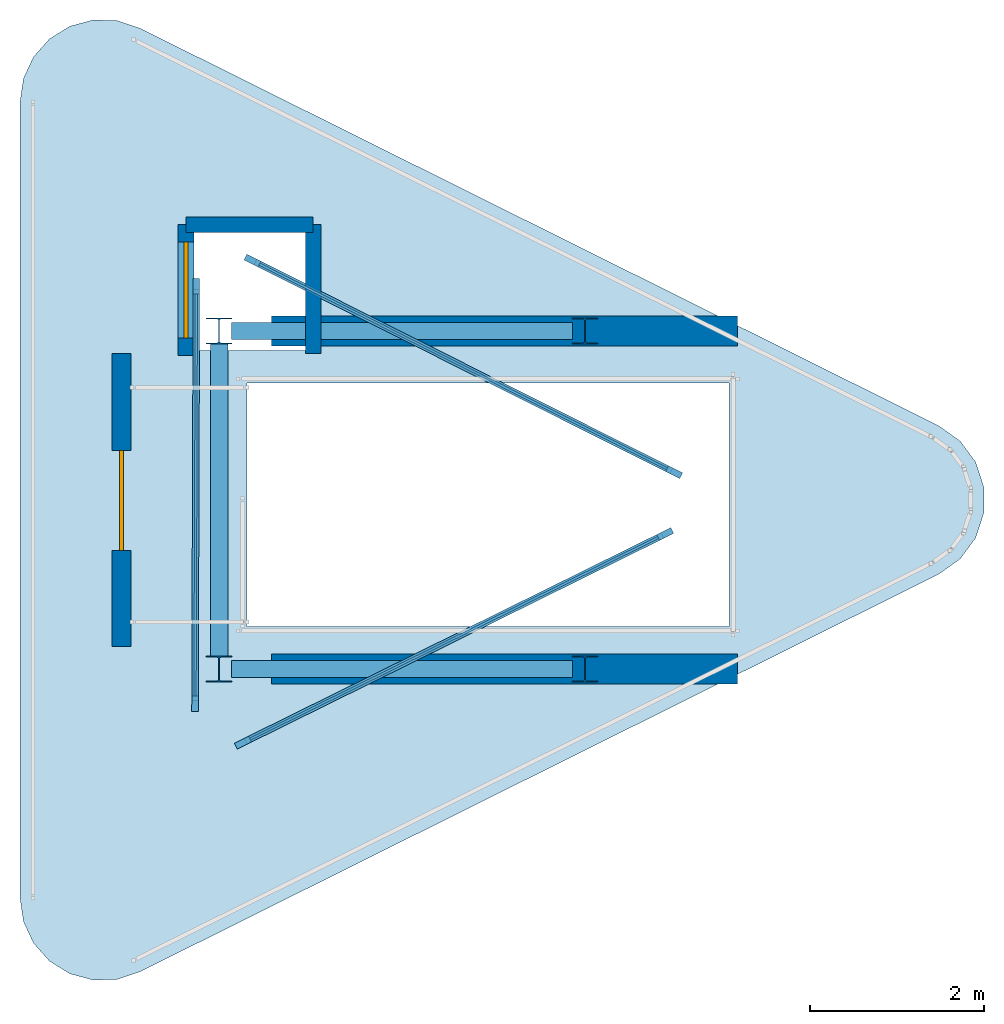
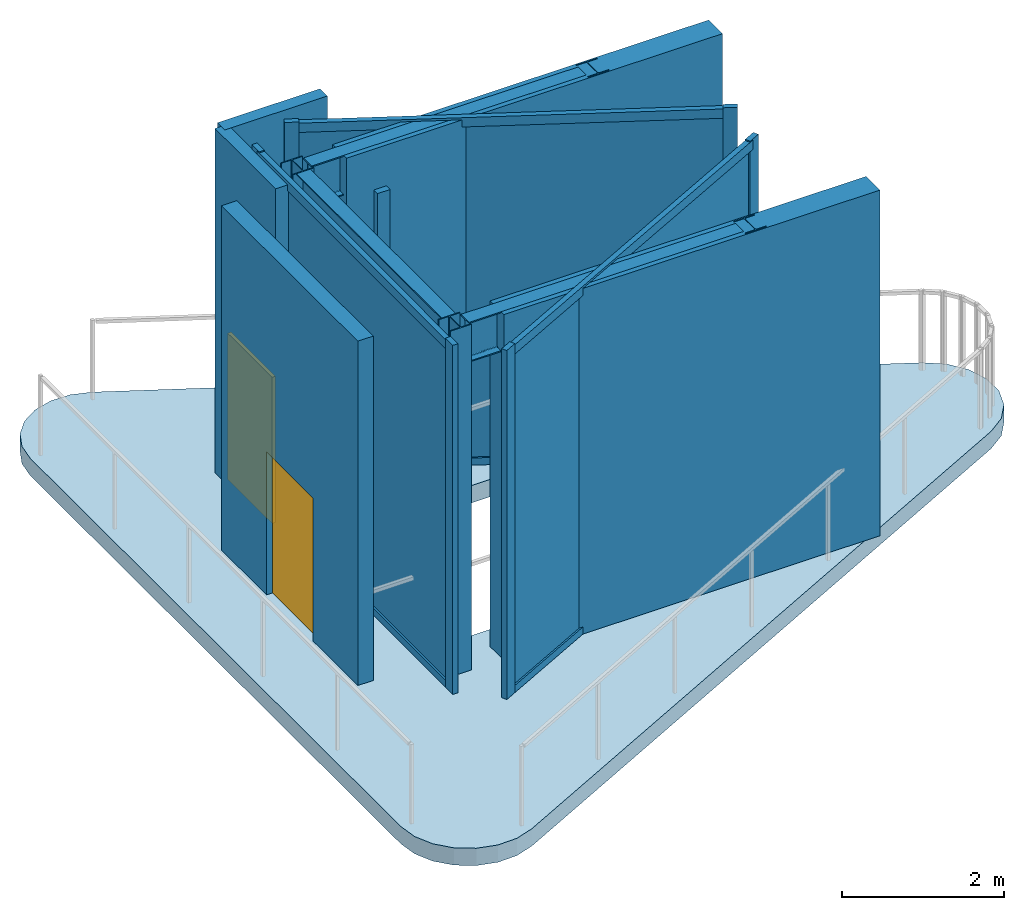
# One storey, part 1 of 2: 12 members, 6 walls, 4 columns, 3 beams, 3 plates, 2 doors, 1 slab, 2 openings, 3 elements without a shape of their own.
"""IFC4 building model written with IfcOpenShell, lengths in metres."""

from ifc_helpers import new_model, si_unit, direction, frame, frame_2d, origin, origin_2d, place, context, subcontext, project, spatial, polyline, rectangle, i_section, outline, extrude, source, transform, mapped, material, layer, layer_set, material_profile, profile_set, type_object, element, fill, aggregate, save


model = new_model("IFC4")

# Units and contexts
model_context = context("Model", 3, precision=1e-05, world=origin(), true_north=direction((0.0, 1.0)))
body_context = subcontext(model_context, "Body", "Model", "MODEL_VIEW")
ifc_project = project(units=[si_unit("LENGTHUNIT", "METRE"), si_unit("AREAUNIT", "SQUARE_METRE"), si_unit("VOLUMEUNIT", "CUBIC_METRE"), si_unit("PLANEANGLEUNIT", "RADIAN"), si_unit("MASSUNIT", "GRAM", prefix="KILO")], contexts=[model_context])

# Site, building, storey
site_placement = place(None, origin())
site = spatial("IfcSite", under=ifc_project, at=site_placement, CompositionType="ELEMENT")
building_placement = place(site_placement, origin())
building = spatial("IfcBuilding", under=site, at=building_placement, Name="Yunling Apex Tower", CompositionType="ELEMENT")
storey_placement = place(building_placement, frame((0.0, 0.0, 343.85009765625)))
storey = spatial("IfcBuildingStorey", under=building, at=storey_placement, Name="C06", CompositionType="ELEMENT", Elevation=343.85009765625)

# Columns
ifc_material_1 = material(Name="Steel Q355B", Category="steel")
ifc_material_profile_1 = material_profile(ifc_material_1, i_section(OverallWidth=0.300048828125, OverallDepth=0.300048828125, WebThickness=0.010009765625, FlangeThickness=0.014892578125, FilletRadius=0.01806640625, at=origin_2d()))
ifc_profile_set_1 = profile_set([ifc_material_profile_1], Name="Steel Q355B")
column_type = type_object("IfcColumnType", Name="CC-STL-3", PredefinedType="COLUMN", material=ifc_profile_set_1)
shared_shape_1 = source(origin(), body_context, "Body", "SweptSolid", [
    extrude(i_section(OverallWidth=0.300048828125, OverallDepth=0.300048828125, WebThickness=0.010009765625, FlangeThickness=0.014892578125, FilletRadius=0.01806640625, at=origin_2d()), origin(), (0.0, 0.0, 1.0), 5.199951171875),
])
for number, where, z_axis, x_axis, name in (
    (1, (-1.800048828125, -1.93994140625, 0.0), (0.0, 0.0, 1.0), (1.0, 0.0, 0.0), "C06 Crown Core Column CT1"),
    (2, (2.39990234375, 1.93994140625, 0.0), (0.0, 0.0, 1.0), (1.0, 0.0, 0.0), "C06 Crown Core Column CT2"),
    (3, (2.39990234375, -1.93994140625, 0.0), (0.0, 0.0, 1.0), (1.0, 0.0, 0.0), "C06 Crown Core Column CT3"),
    (4, (-1.800048828125, 1.93994140625, 0.0), (0.0, 0.0, 1.0), (1.0, 0.0, 0.0), "C06 Crown Core Column CT4"),
):
    element("IfcColumn", number, at=place(storey_placement, frame(where, z_axis=z_axis, x_axis=x_axis)), inside=storey, type_object=column_type, Name=name, PredefinedType="COLUMN", context=body_context, shape_type="MappedRepresentation", body=[
        mapped(shared_shape_1, transform((0.0, 0.0, 0.0), scale=1.0)),
    ])

# Beams
ifc_material_profile_2 = material_profile(ifc_material_1, i_section(OverallWidth=0.199951171875, OverallDepth=0.60009765625, WebThickness=0.010986328125, FlangeThickness=0.01708984375, FilletRadius=0.02197265625, at=origin_2d()))
ifc_profile_set_2 = profile_set([ifc_material_profile_2], Name="Steel Q355B")
beam_type = type_object("IfcBeamType", Name="BG-PRI-5", PredefinedType="USERDEFINED", material=ifc_profile_set_2)
shared_shape_2 = source(origin(), body_context, "Body", "SweptSolid", [
    extrude(i_section(OverallWidth=0.199951171875, OverallDepth=0.60009765625, WebThickness=0.010986328125, FlangeThickness=0.01708984375, FilletRadius=0.02197265625, at=origin_2d()), origin(), (0.0, 0.0, 1.0), 3.909912109375),
])
for number, where, z_axis, x_axis, name in (
    (5, (-1.655029296875, 1.93994140625, 4.89990234375), (1.0, 0.0, 0.0), (0.0, 1.0, 0.0), "C06 Crown Core Support Girder 1"),
    (6, (-1.655029296875, -1.93994140625, 4.89990234375), (1.0, 0.0, 0.0), (0.0, 1.0, 0.0), "C06 Crown Core Support Girder 2"),
):
    element("IfcBeam", number, at=place(storey_placement, frame(where, z_axis=z_axis, x_axis=x_axis)), inside=storey, type_object=beam_type, Name=name, ObjectType="GIRDER", PredefinedType="USERDEFINED", context=body_context, shape_type="MappedRepresentation", body=[
        mapped(shared_shape_2, transform((0.0, 0.0, 0.0), scale=1.0)),
    ])
shared_shape_3 = source(origin(), body_context, "Body", "SweptSolid", [
    extrude(i_section(OverallWidth=0.199951171875, OverallDepth=0.60009765625, WebThickness=0.010986328125, FlangeThickness=0.01708984375, FilletRadius=0.02197265625, at=origin_2d()), origin(), (0.0, 0.0, 1.0), 3.58984375),
])
beam_placement = place(storey_placement, frame((-1.800048828125, -1.794921875, 4.89990234375), z_axis=(0.0, 1.0, 0.0), x_axis=(-1.0, 0.0, 0.0)))
element("IfcBeam", 7, at=beam_placement, inside=storey, type_object=beam_type, Name="C06 Crown Core Support Girder 3", ObjectType="GIRDER", PredefinedType="USERDEFINED", context=body_context, shape_type="MappedRepresentation", body=[
    mapped(shared_shape_3, transform((0.0, 0.0, 0.0), scale=1.0)),
])

# Curtain wall, members
ifc_material_2 = material(Name="Bronze anodised aluminium", Category="aluminium")
ifc_layer_1 = layer(ifc_material_2, 0.179931640625)
ifc_layer_set_1 = layer_set([ifc_layer_1], Name="Bronze anodised aluminium")
curtain_wall_type = type_object("IfcCurtainWallType", Name="CW-SYS-6", PredefinedType="NOTDEFINED", material=ifc_layer_set_1)
curtain_wall_1_placement = place(storey_placement, origin())
curtain_wall_1 = element("IfcCurtainWall", 8, at=curtain_wall_1_placement, inside=storey, type_object=curtain_wall_type, Name="CW-C06-01", PredefinedType="NOTDEFINED")
ifc_material_profile_3 = material_profile(ifc_material_2, rectangle(XDim=0.074951171875, YDim=0.179931640625, at=origin_2d()))
ifc_profile_set_3 = profile_set([ifc_material_profile_3], Name="Bronze anodised aluminium")
member_type_1 = type_object("IfcMemberType", Name="CW-MUL-6", PredefinedType="MULLION", material=ifc_profile_set_3)
shared_shape_4 = source(origin(), body_context, "Body", "SweptSolid", [
    extrude(rectangle(XDim=0.074951171875, YDim=0.179931640625, at=origin_2d()), origin(), (0.0, 0.0, 1.0), 5.300048828125),
])
member_1_placement = place(storey_placement, frame((-2.076416015625, -2.33984375, -0.050048828125), z_axis=(0.0, 0.0, 1.0), x_axis=(-0.99999466789, 0.003265607258, 0.0)))
member_1 = element("IfcMember", 9, at=member_1_placement, type_object=member_type_1, Name="CW-SYS-6 mullion 1", PredefinedType="MULLION", context=body_context, shape_type="MappedRepresentation", body=[
    mapped(shared_shape_4, transform((0.0, 0.0, 0.0), scale=1.0)),
])
member_2_placement = place(storey_placement, frame((-2.060791015625, 2.4541015625, -0.050048828125), z_axis=(0.0, 0.0, 1.0), x_axis=(-0.99999466789, 0.003265607258, 0.0)))
member_2 = element("IfcMember", 10, at=member_2_placement, type_object=member_type_1, Name="CW-SYS-6 mullion 2", PredefinedType="MULLION", context=body_context, shape_type="MappedRepresentation", body=[
    mapped(shared_shape_4, transform((0.0, 0.0, 0.0), scale=1.0)),
])

curtain_wall_2_placement = place(storey_placement, origin())
curtain_wall_2 = element("IfcCurtainWall", 11, at=curtain_wall_2_placement, inside=storey, type_object=curtain_wall_type, Name="CW-C06-05", PredefinedType="NOTDEFINED")
member_3_placement = place(storey_placement, frame((-1.417236328125, 2.748046875, -0.050048828125), z_axis=(0.0, 0.0, 1.0), x_axis=(0.448684504985, 0.893690223168, 0.0)))
member_3 = element("IfcMember", 12, at=member_3_placement, type_object=member_type_1, Name="CW-SYS-6 mullion 1", PredefinedType="MULLION", context=body_context, shape_type="MappedRepresentation", body=[
    mapped(shared_shape_4, transform((0.0, 0.0, 0.0), scale=1.0)),
])
member_4_placement = place(storey_placement, frame((3.423095703125, 0.318115234375, -0.050048828125), z_axis=(0.0, 0.0, 1.0), x_axis=(0.448684504985, 0.893690223168, 0.0)))
member_4 = element("IfcMember", 13, at=member_4_placement, type_object=member_type_1, Name="CW-SYS-6 mullion 2", PredefinedType="MULLION", context=body_context, shape_type="MappedRepresentation", body=[
    mapped(shared_shape_4, transform((0.0, 0.0, 0.0), scale=1.0)),
])

curtain_wall_3_placement = place(storey_placement, origin())
curtain_wall_3 = element("IfcCurtainWall", 14, at=curtain_wall_3_placement, inside=storey, type_object=curtain_wall_type, Name="CW-C06-09", PredefinedType="NOTDEFINED")
member_5_placement = place(storey_placement, frame((3.320068359375, -0.39013671875, -0.050048828125), z_axis=(0.0, 0.0, 1.0), x_axis=(0.442968450528, -0.896537200476, 0.0)))
member_5 = element("IfcMember", 15, at=member_5_placement, type_object=member_type_1, Name="CW-SYS-6 mullion 1", PredefinedType="MULLION", context=body_context, shape_type="MappedRepresentation", body=[
    mapped(shared_shape_4, transform((0.0, 0.0, 0.0), scale=1.0)),
])
member_6_placement = place(storey_placement, frame((-1.5263671875, -2.784912109375, -0.050048828125), z_axis=(0.0, 0.0, 1.0), x_axis=(0.442968450528, -0.896537200476, 0.0)))
member_6 = element("IfcMember", 16, at=member_6_placement, type_object=member_type_1, Name="CW-SYS-6 mullion 2", PredefinedType="MULLION", context=body_context, shape_type="MappedRepresentation", body=[
    mapped(shared_shape_4, transform((0.0, 0.0, 0.0), scale=1.0)),
])

# Member
ifc_material_profile_4 = material_profile(ifc_material_2, rectangle(XDim=0.074951171875, YDim=0.139892578125, at=origin_2d()))
ifc_profile_set_4 = profile_set([ifc_material_profile_4], Name="Bronze anodised aluminium")
member_type_2 = type_object("IfcMemberType", Name="CW-TRN-6", PredefinedType="USERDEFINED", material=ifc_profile_set_4)
shared_shape_5 = source(origin(), body_context, "Body", "SweptSolid", [
    extrude(rectangle(XDim=0.074951171875, YDim=0.139892578125, at=origin_2d()), origin(), (0.0, 0.0, 1.0), 4.726318359375),
])
member_7_placement = place(storey_placement, frame((-2.076416015625, -2.30615234375, 0.037353515625), z_axis=(0.003254283093, 0.999994704807, 0.0), x_axis=(-0.999994704807, 0.003254283093, 0.0)))
member_7 = element("IfcMember", 17, at=member_7_placement, type_object=member_type_2, Name="CW-SYS-6 transom 1.1", ObjectType="TRANSOM", PredefinedType="USERDEFINED", context=body_context, shape_type="MappedRepresentation", body=[
    mapped(shared_shape_5, transform((0.0, 0.0, 0.0), scale=1.0)),
])

member_8_placement = place(storey_placement, frame((-2.076416015625, -2.30615234375, 5.162353515625), z_axis=(0.003254283093, 0.999994704807, 0.0), x_axis=(-0.999994704807, 0.003254283093, 0.0)))
member_8 = element("IfcMember", 18, at=member_8_placement, type_object=member_type_2, Name="CW-SYS-6 transom 1.2", ObjectType="TRANSOM", PredefinedType="USERDEFINED", context=body_context, shape_type="MappedRepresentation", body=[
    mapped(shared_shape_5, transform((0.0, 0.0, 0.0), scale=1.0)),
])

shared_shape_6 = source(origin(), body_context, "Body", "SweptSolid", [
    extrude(rectangle(XDim=0.074951171875, YDim=0.139892578125, at=origin_2d()), origin(), (0.0, 0.0, 1.0), 5.348388671875),
])
member_9_placement = place(storey_placement, frame((-1.386962890625, 2.73291015625, 0.037353515625), z_axis=(0.893695630945, -0.448673733607, 0.0), x_axis=(0.448673733607, 0.893695630945, 0.0)))
member_9 = element("IfcMember", 19, at=member_9_placement, type_object=member_type_2, Name="CW-SYS-6 transom 1.1", ObjectType="TRANSOM", PredefinedType="USERDEFINED", context=body_context, shape_type="MappedRepresentation", body=[
    mapped(shared_shape_6, transform((0.0, 0.0, 0.0), scale=1.0)),
])

member_10_placement = place(storey_placement, frame((-1.386962890625, 2.73291015625, 5.162353515625), z_axis=(0.893695630945, -0.448673733607, 0.0), x_axis=(0.448673733607, 0.893695630945, 0.0)))
member_10 = element("IfcMember", 20, at=member_10_placement, type_object=member_type_2, Name="CW-SYS-6 transom 1.2", ObjectType="TRANSOM", PredefinedType="USERDEFINED", context=body_context, shape_type="MappedRepresentation", body=[
    mapped(shared_shape_6, transform((0.0, 0.0, 0.0), scale=1.0)),
])

shared_shape_7 = source(origin(), body_context, "Body", "SweptSolid", [
    extrude(rectangle(XDim=0.074951171875, YDim=0.139892578125, at=origin_2d()), origin(), (0.0, 0.0, 1.0), 5.338623046875),
])
member_11_placement = place(storey_placement, frame((3.2900390625, -0.4052734375, 0.037353515625), z_axis=(-0.896548081339, -0.44294642774, 0.0), x_axis=(0.44294642774, -0.896548081339, 0.0)))
member_11 = element("IfcMember", 21, at=member_11_placement, type_object=member_type_2, Name="CW-SYS-6 transom 1.1", ObjectType="TRANSOM", PredefinedType="USERDEFINED", context=body_context, shape_type="MappedRepresentation", body=[
    mapped(shared_shape_7, transform((0.0, 0.0, 0.0), scale=1.0)),
])

member_12_placement = place(storey_placement, frame((3.2900390625, -0.4052734375, 5.162353515625), z_axis=(-0.896548081339, -0.44294642774, 0.0), x_axis=(0.44294642774, -0.896548081339, 0.0)))
member_12 = element("IfcMember", 22, at=member_12_placement, type_object=member_type_2, Name="CW-SYS-6 transom 1.2", ObjectType="TRANSOM", PredefinedType="USERDEFINED", context=body_context, shape_type="MappedRepresentation", body=[
    mapped(shared_shape_7, transform((0.0, 0.0, 0.0), scale=1.0)),
])

# Slab
ifc_material_3 = material(Name="Concrete C40", Category="concrete")
ifc_layer_2 = layer(ifc_material_3, 0.260009765625)
ifc_layer_set_2 = layer_set([ifc_layer_2], Name="Concrete C40")
slab_type = type_object("IfcSlabType", Name="SL-CRN-1", PredefinedType="FLOOR", material=ifc_layer_set_2)
slab_placement = place(storey_placement, frame((0.0, 0.0, -0.260009765625)))
element("IfcSlab", 23, at=slab_placement, inside=storey, type_object=slab_type, Name="C06 Crown Plant & Maintenance Slab", PredefinedType="FLOOR", context=body_context, shape_type="SweptSolid", body=[
    extrude(outline(polyline([(-4.085205078125, -4.56591796875), (-4.045654296875, -4.837890625), (-3.9296875, -5.087158203125), (-3.7470703125, -5.292724609375), (-3.513427734375, -5.4375), (-3.248046875, -5.50927734375), (-2.973388671875, -5.502197265625), (-2.7119140625, -5.41650390625), (6.4619140625, -0.8505859375), (6.705810546875, -0.67626953125), (6.88330078125, -0.434814453125), (6.976806640625, -0.14990234375), (6.976806640625, 0.14990234375), (6.88330078125, 0.434814453125), (6.705810546875, 0.67626953125), (6.4619140625, 0.8505859375), (-2.7119140625, 5.41650390625), (-2.973388671875, 5.502197265625), (-3.248046875, 5.50927734375), (-3.513427734375, 5.4375), (-3.7470703125, 5.292724609375), (-3.9296875, 5.087158203125), (-4.045654296875, 4.837890625), (-4.085205078125, 4.56591796875), (-4.085205078125, -4.56591796875)]), holes=[polyline([(4.050048828125, -1.449951171875), (-1.47998046875, -1.449951171875), (-1.47998046875, 1.340087890625), (4.050048828125, 1.340087890625), (4.050048828125, -1.449951171875)]), polyline([(-0.7900390625, 1.715087890625), (-2.110107421875, 1.715087890625), (-2.110107421875, 3.0849609375), (-0.7900390625, 3.0849609375), (-0.7900390625, 1.715087890625)])]), origin(), (0.0, 0.0, 1.0), 0.260009765625),
])

# Plate
ifc_material_4 = material(Name="Bronze fritted laminated crown glass", Category="glass")
ifc_layer_3 = layer(ifc_material_4, 0.02587890625)
ifc_layer_set_3 = layer_set([ifc_layer_3], Name="Bronze fritted laminated crown glass")
plate_type = type_object("IfcPlateType", Name="CW-PNL-6", PredefinedType="CURTAIN_PANEL", material=ifc_layer_set_3)
shared_shape_8 = source(origin(), body_context, "Body", "SweptSolid", [
    extrude(rectangle(XDim=4.734375, YDim=0.02587890625, at=origin_2d()), origin(), (0.0, 0.0, 1.0), 5.0654296875),
])
plate_1_placement = place(storey_placement, frame((-2.068603515625, 0.05712890625, 0.067138671875), z_axis=(0.0, 0.0, 1.0), x_axis=(0.003265607258, 0.99999466789, 0.0)))
plate_1 = element("IfcPlate", 24, at=plate_1_placement, type_object=plate_type, Name="CW-SYS-6 panel 1.1", PredefinedType="CURTAIN_PANEL", context=body_context, shape_type="MappedRepresentation", body=[
    mapped(shared_shape_8, transform((0.0, 0.0, 0.0), scale=1.0)),
])

aggregate(curtain_wall_1, [member_1, member_2, member_7, member_8, plate_1])

shared_shape_9 = source(origin(), body_context, "Body", "SweptSolid", [
    extrude(rectangle(XDim=5.3564453125, YDim=0.02587890625, at=origin_2d()), origin(), (0.0, 0.0, 1.0), 5.0654296875),
])
plate_2_placement = place(storey_placement, frame((1.0029296875, 1.532958984375, 0.067138671875), z_axis=(0.0, 0.0, 1.0), x_axis=(0.893690223168, -0.448684504985, 0.0)))
plate_2 = element("IfcPlate", 25, at=plate_2_placement, type_object=plate_type, Name="CW-SYS-6 panel 1.1", PredefinedType="CURTAIN_PANEL", context=body_context, shape_type="MappedRepresentation", body=[
    mapped(shared_shape_9, transform((0.0, 0.0, 0.0), scale=1.0)),
])

aggregate(curtain_wall_2, [member_3, member_4, member_9, member_10, plate_2])

shared_shape_10 = source(origin(), body_context, "Body", "SweptSolid", [
    extrude(rectangle(XDim=5.346435546875, YDim=0.02587890625, at=origin_2d()), origin(), (0.0, 0.0, 1.0), 5.0654296875),
])
plate_3_placement = place(storey_placement, frame((0.896728515625, -1.587646484375, 0.067138671875), z_axis=(0.0, 0.0, 1.0), x_axis=(-0.896537200476, -0.442968450528, 0.0)))
plate_3 = element("IfcPlate", 26, at=plate_3_placement, type_object=plate_type, Name="CW-SYS-6 panel 1.1", PredefinedType="CURTAIN_PANEL", context=body_context, shape_type="MappedRepresentation", body=[
    mapped(shared_shape_10, transform((0.0, 0.0, 0.0), scale=1.0)),
])

aggregate(curtain_wall_3, [member_5, member_6, member_11, member_12, plate_3])

# Walls
ifc_layer_4 = layer(ifc_material_3, 0.340087890625)
ifc_layer_set_4 = layer_set([ifc_layer_4], Name="Concrete C40")
wall_type_1 = type_object("IfcWallType", Name="WL-COR-6", PredefinedType="SHEAR", material=ifc_layer_set_4)
for number, where, z_axis, x_axis, name in (
    (27, (-1.199951171875, 1.93994140625, 0.0), (0.0, 0.0, 1.0), (1.0, 0.0, 0.0), "C06 Crown Stair North Bearing Wall"),
    (28, (-1.199951171875, -1.93994140625, 0.0), (0.0, 0.0, 1.0), (1.0, 0.0, 0.0), "C06 Crown Stair South Bearing Wall"),
):
    element("IfcWall", number, at=place(storey_placement, frame(where, z_axis=z_axis, x_axis=x_axis)), inside=storey, type_object=wall_type_1, Name=name, PredefinedType="SHEAR", context=body_context, shape_type="SweptSolid", body=[
        extrude(rectangle(XDim=5.349853515625, YDim=0.340087890625, at=frame_2d((2.6748046875, 0.0))), origin(), (0.0, 0.0, 1.0), 5.199951171875),
    ])

# Wall, opening, door
ifc_material_5 = material(Name="Autoclaved aerated concrete masonry", Category="masonry")
ifc_layer_5 = layer(ifc_material_5, 0.219970703125)
ifc_layer_set_5 = layer_set([ifc_layer_5], Name="Autoclaved aerated concrete masonry")
wall_type_2 = type_object("IfcWallType", Name="WL-SHF-1", PredefinedType="PLUMBINGWALL", material=ifc_layer_set_5)
wall_1_placement = place(storey_placement, frame((-2.919921875, -1.679931640625, 0.0), z_axis=(0.0, 0.0, 1.0), x_axis=(0.0, 1.0, 0.0)))
wall_1 = element("IfcWall", 29, at=wall_1_placement, inside=storey, type_object=wall_type_2, Name="WL-STC1-W-C06", PredefinedType="PLUMBINGWALL", context=body_context, shape_type="SweptSolid", body=[
    extrude(rectangle(XDim=3.35986328125, YDim=0.219970703125, at=frame_2d((1.679931640625, 0.0))), origin(), (0.0, 0.0, 1.0), 5.179931640625),
])
opening_1_placement = place(wall_1_placement, frame((1.10009765625, 0.0, 0.0)))
opening_1 = element("IfcOpeningElement", 30, at=opening_1_placement, cuts=wall_1, Name="Opening DR-ST-1", PredefinedType="OPENING", context=body_context, shape_type="SweptSolid", body=[
    extrude(rectangle(XDim=1.14990234375, YDim=2.14990234375, at=frame_2d((0.574951171875, 1.074951171875))), frame((0.0, 0.1201171875, 0.0), z_axis=(0.0, -1.0, 0.0), x_axis=(1.0, 0.0, 0.0)), (0.0, 0.0, 1.0), 0.239990234375),
])
door_type_1 = type_object("IfcDoorType", Name="DR-ST-1", OperationType="NOTDEFINED", PredefinedType="DOOR", material=ifc_material_1)
door_1_placement = place(opening_1_placement, origin())
door_1 = element("IfcDoor", 31, at=door_1_placement, inside=storey, type_object=door_type_1, Name="C06 Crown Stair Door", OperationType="SINGLE_SWING_RIGHT", OverallHeight=2.14990234375, OverallWidth=1.14990234375, PredefinedType="DOOR", context=body_context, shape_type="SweptSolid", body=[
    extrude(rectangle(XDim=1.14990234375, YDim=2.14990234375, at=frame_2d((0.574951171875, 1.074951171875))), frame((0.0, 0.02490234375, 0.0), z_axis=(0.0, -1.0, 0.0), x_axis=(1.0, 0.0, 0.0)), (0.0, 0.0, 1.0), 0.050048828125),
])
fill(opening_1, door_1)

# Wall
ifc_layer_6 = layer(ifc_material_5, 0.179931640625)
ifc_layer_set_6 = layer_set([ifc_layer_6], Name="Autoclaved aerated concrete masonry")
wall_type_3 = type_object("IfcWallType", Name="WL-SHF-2", PredefinedType="PLUMBINGWALL", material=ifc_layer_set_6)
wall_2_placement = place(storey_placement, frame((-2.179931640625, 3.159912109375, 0.0), z_axis=(0.0, 0.0, 1.0), x_axis=(1.0, 0.0, 0.0)))
element("IfcWall", 32, at=wall_2_placement, inside=storey, type_object=wall_type_3, Name="WL-SVLC1-N-C06", PredefinedType="PLUMBINGWALL", context=body_context, shape_type="SweptSolid", body=[
    extrude(rectangle(XDim=1.4599609375, YDim=0.179931640625, at=frame_2d((0.72998046875, 0.0))), origin(), (0.0, 0.0, 1.0), 5.179931640625),
])

# Wall, opening, door
wall_3_placement = place(storey_placement, frame((-2.179931640625, 1.659912109375, 0.0), z_axis=(0.0, 0.0, 1.0), x_axis=(0.0, 1.0, 0.0)))
wall_3 = element("IfcWall", 33, at=wall_3_placement, inside=storey, type_object=wall_type_3, Name="WL-SVLC1-W-C06", PredefinedType="PLUMBINGWALL", context=body_context, shape_type="SweptSolid", body=[
    extrude(rectangle(XDim=1.5, YDim=0.179931640625, at=frame_2d((0.75, 0.0))), origin(), (0.0, 0.0, 1.0), 5.179931640625),
])
opening_2_placement = place(wall_3_placement, frame((0.199951171875, 0.0, 0.0)))
opening_2 = element("IfcOpeningElement", 34, at=opening_2_placement, cuts=wall_3, Name="Opening LD-PAS-1", PredefinedType="OPENING", context=body_context, shape_type="SweptSolid", body=[
    extrude(rectangle(XDim=1.10009765625, YDim=2.199951171875, at=frame_2d((0.550048828125, 1.10009765625))), frame((0.0, 0.10009765625, 0.0), z_axis=(0.0, -1.0, 0.0), x_axis=(1.0, 0.0, 0.0)), (0.0, 0.0, 1.0), 0.199951171875),
])
ifc_material_6 = material(Name="Silver anodised aluminium", Category="aluminium")
door_type_2 = type_object("IfcDoorType", Name="LD-PAS-1", OperationType="DOUBLE_DOOR_SLIDING", PredefinedType="DOOR", material=ifc_material_6)
door_2_placement = place(opening_2_placement, origin())
door_2 = element("IfcDoor", 35, at=door_2_placement, inside=storey, type_object=door_type_2, Name="C06 Lift SVL-C1 Landing Door", OperationType="DOUBLE_DOOR_SLIDING", OverallHeight=2.199951171875, OverallWidth=1.10009765625, PredefinedType="DOOR", context=body_context, shape_type="SweptSolid", body=[
    extrude(rectangle(XDim=1.10009765625, YDim=2.199951171875, at=frame_2d((0.550048828125, 1.10009765625))), frame((0.0, 0.02490234375, 0.0), z_axis=(0.0, -1.0, 0.0), x_axis=(1.0, 0.0, 0.0)), (0.0, 0.0, 1.0), 0.050048828125),
])
fill(opening_2, door_2)

# Wall
wall_4_placement = place(storey_placement, frame((-0.719970703125, 1.679931640625, 0.0), z_axis=(0.0, 0.0, 1.0), x_axis=(0.0, 1.0, 0.0)))
element("IfcWall", 36, at=wall_4_placement, inside=storey, type_object=wall_type_3, Name="WL-SVLC1-E-C06", PredefinedType="PLUMBINGWALL", context=body_context, shape_type="SweptSolid", body=[
    extrude(rectangle(XDim=1.47998046875, YDim=0.179931640625, at=frame_2d((0.739990234375, 0.0))), origin(), (0.0, 0.0, 1.0), 4.5849609375),
])

save(model, "model.ifc")
